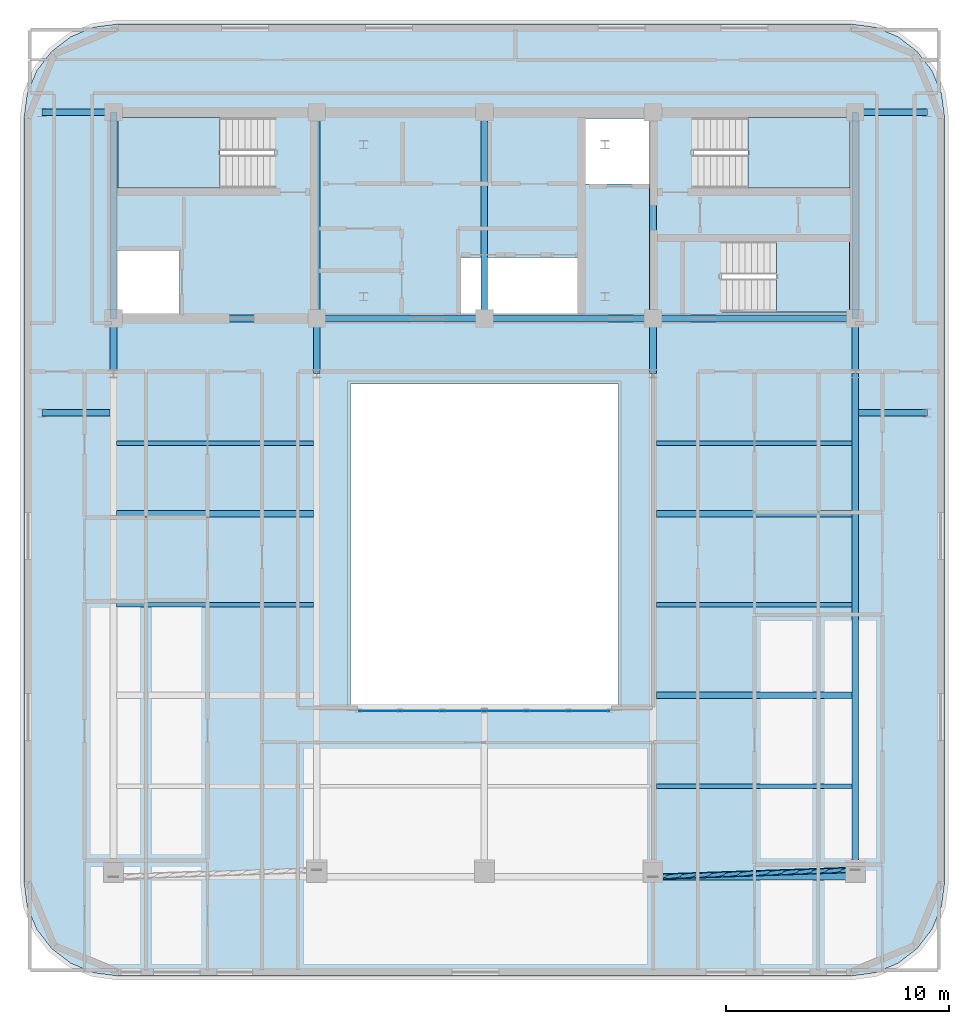
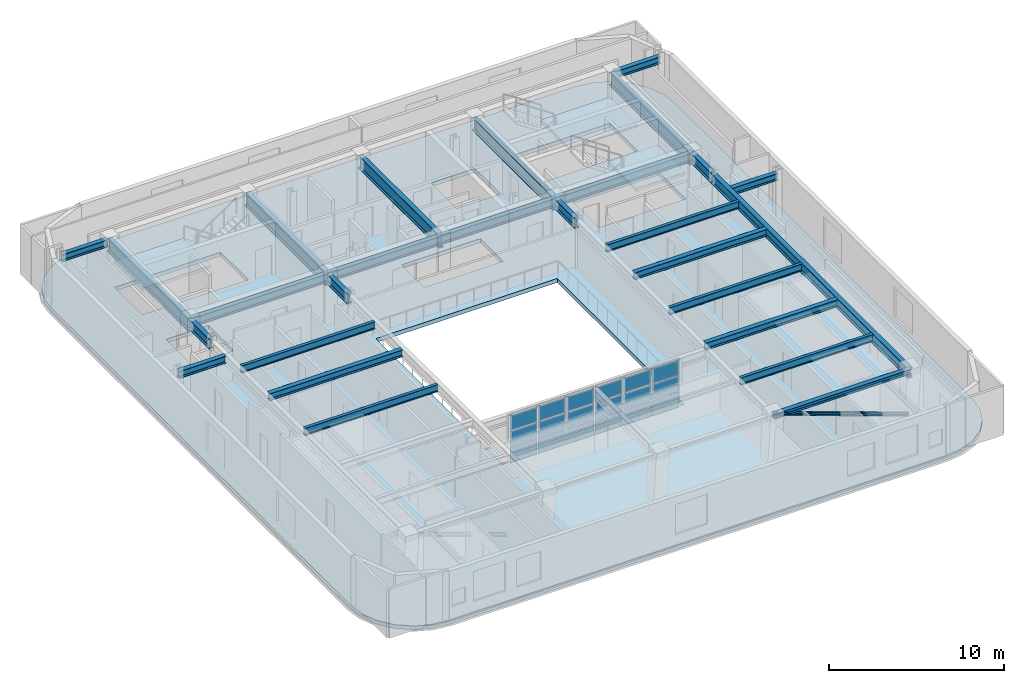
# One storey, part 4 of 13: 27 beams, 18 plates, 4 slabs, 1 member, 4 elements without a shape of their own.
"""IFC4 building model written with IfcOpenShell, lengths in metres."""

from ifc_helpers import new_model, si_unit, direction, frame, origin, origin_2d, place, context, subcontext, project, spatial, polyline, rectangle, hollow_circle, i_section, outline, extrude, material, layer, layer_set, material_profile, profile_set, type_object, element, aggregate, save


model = new_model("IFC4")

# Units and contexts
model_context = context("Model", 3, precision=1e-05, world=origin(), true_north=direction((0.0, 1.0)))
body_context = subcontext(model_context, "Body", "Model", "MODEL_VIEW")
ifc_project = project(units=[si_unit("LENGTHUNIT", "METRE"), si_unit("AREAUNIT", "SQUARE_METRE"), si_unit("VOLUMEUNIT", "CUBIC_METRE"), si_unit("PLANEANGLEUNIT", "RADIAN"), si_unit("MASSUNIT", "GRAM", prefix="KILO")], contexts=[model_context])

# Site, building, storey
site_placement = place(None, origin())
site = spatial("IfcSite", under=ifc_project, at=site_placement, CompositionType="ELEMENT")
building_placement = place(site_placement, origin())
building = spatial("IfcBuilding", under=site, at=building_placement, Name="Zarnavel Station Tower", CompositionType="ELEMENT")
storey_placement = place(building_placement, frame((0.0, 0.0, 254.699951171875)))
storey = spatial("IfcBuildingStorey", under=building, at=storey_placement, Name="L69", CompositionType="ELEMENT", Elevation=254.699951171875)

# Member
ifc_material_1 = material(Name="Steel S355J2", Category="steel")
ifc_material_profile_1 = material_profile(ifc_material_1, hollow_circle(Radius=0.122314453125, WallThickness=0.010009765625, at=origin_2d()), Name="CHS244.5x10")
ifc_profile_set_1 = profile_set([ifc_material_profile_1], Name="Steel S355J2")
member_type = type_object("IfcMemberType", Name="DB_EXT_CHS245", PredefinedType="BRACE", material=ifc_profile_set_1)
member_placement = place(storey_placement, frame((45.39990234375, 3.147216796875, 0.0), z_axis=(-0.934945887527, -0.032032515301, 0.353341343972), x_axis=(0.034241266505, -0.999413595899, 0.0)))
element("IfcMember", 1, at=member_placement, inside=storey, type_object=member_type, Name="L69 Persian Exterior Diagonal Frame Brace 2", PredefinedType="BRACE", context=body_context, shape_type="SweptSolid", body=[
    extrude(hollow_circle(Radius=0.122314453125, WallThickness=0.010009765625, at=origin_2d()), origin(), (0.0, 0.0, 1.0), 9.679443359375),
])

# Beams
ifc_material_2 = material(Name="Steel S355J2", Category="steel")
ifc_material_profile_2 = material_profile(ifc_material_2, i_section(OverallWidth=0.300048828125, OverallDepth=0.320068359375, WebThickness=0.011474609375, FlangeThickness=0.0205078125, FilletRadius=0.027099609375, at=origin_2d()), Name="HEB320")
ifc_profile_set_2 = profile_set([ifc_material_profile_2], Name="Steel S355J2")
beam_type_1 = type_object("IfcBeamType", Name="EB_HEB320", PredefinedType="SPANDREL", material=ifc_profile_set_2)
beam_1_placement = place(storey_placement, frame((36.35009765625, 2.837158203125, 3.260009765625), z_axis=(1.0, 0.0, 0.0), x_axis=(0.0, 1.0, 0.0)))
element("IfcBeam", 2, at=beam_1_placement, inside=storey, type_object=beam_type_1, Name="L69 South Raked Spandrel 4", PredefinedType="SPANDREL", context=body_context, shape_type="SweptSolid", body=[
    extrude(i_section(OverallWidth=0.300048828125, OverallDepth=0.320068359375, WebThickness=0.011474609375, FlangeThickness=0.0205078125, FilletRadius=0.027099609375, at=origin_2d()), origin(), (0.0, 0.0, 1.0), 9.0498046875),
])
ifc_material_3 = material(Name="Steel S355J2", Category="steel")
ifc_material_profile_3 = material_profile(ifc_material_3, i_section(OverallWidth=0.300048828125, OverallDepth=0.489990234375, WebThickness=0.011962890625, FlangeThickness=0.02294921875, FilletRadius=0.027099609375, at=origin_2d()), Name="HEA500")
ifc_profile_set_3 = profile_set([ifc_material_profile_3], Name="Steel S355J2")
beam_type_2 = type_object("IfcBeamType", Name="FB_HEA500", PredefinedType="BEAM", material=ifc_profile_set_3)
beam_2_placement = place(storey_placement, frame((36.4951171875, 10.9580078125, 3.175048828125), z_axis=(1.0, 0.0, 0.0), x_axis=(0.0, 1.0, 0.0)))
element("IfcBeam", 3, at=beam_2_placement, inside=storey, type_object=beam_type_2, Name="L69 East Bay Beam 2", PredefinedType="BEAM", context=body_context, shape_type="SweptSolid", body=[
    extrude(i_section(OverallWidth=0.300048828125, OverallDepth=0.489990234375, WebThickness=0.011962890625, FlangeThickness=0.02294921875, FilletRadius=0.027099609375, at=origin_2d()), origin(), (0.0, 0.0, 1.0), 8.759765625),
])
beam_3_placement = place(storey_placement, frame((12.344970703125, 19.0791015625, 3.175048828125), z_axis=(1.0, 0.0, 0.0), x_axis=(0.0, 1.0, 0.0)))
element("IfcBeam", 4, at=beam_3_placement, inside=storey, type_object=beam_type_2, Name="L69 West Bay Beam 4", PredefinedType="BEAM", context=body_context, shape_type="SweptSolid", body=[
    extrude(i_section(OverallWidth=0.300048828125, OverallDepth=0.489990234375, WebThickness=0.011962890625, FlangeThickness=0.02294921875, FilletRadius=0.027099609375, at=origin_2d()), origin(), (0.0, 0.0, 1.0), 8.81005859375),
])
beam_4_placement = place(storey_placement, frame((36.4951171875, 19.0791015625, 3.175048828125), z_axis=(1.0, 0.0, 0.0), x_axis=(0.0, 1.0, 0.0)))
element("IfcBeam", 5, at=beam_4_placement, inside=storey, type_object=beam_type_2, Name="L69 East Bay Beam 4", PredefinedType="BEAM", context=body_context, shape_type="SweptSolid", body=[
    extrude(i_section(OverallWidth=0.300048828125, OverallDepth=0.489990234375, WebThickness=0.011962890625, FlangeThickness=0.02294921875, FilletRadius=0.027099609375, at=origin_2d()), origin(), (0.0, 0.0, 1.0), 8.759765625),
])
ifc_material_4 = material(Name="Steel S355J2", Category="steel")
ifc_material_profile_4 = material_profile(ifc_material_4, i_section(OverallWidth=0.199951171875, OverallDepth=0.5, WebThickness=0.01025390625, FlangeThickness=0.01611328125, FilletRadius=0.02099609375, at=origin_2d()), Name="IPE500")
ifc_profile_set_4 = profile_set([ifc_material_profile_4], Name="Steel S355J2")
beam_type_3 = type_object("IfcBeamType", Name="FB_IPE500", PredefinedType="BEAM", material=ifc_profile_set_4)
beam_5_placement = place(storey_placement, frame((36.4951171875, 6.897705078125, 3.170166015625), z_axis=(1.0, 0.0, 0.0), x_axis=(0.0, 1.0, 0.0)))
element("IfcBeam", 6, at=beam_5_placement, inside=storey, type_object=beam_type_3, Name="L69 East Bay Beam 1", PredefinedType="BEAM", context=body_context, shape_type="SweptSolid", body=[
    extrude(i_section(OverallWidth=0.199951171875, OverallDepth=0.5, WebThickness=0.01025390625, FlangeThickness=0.01611328125, FilletRadius=0.02099609375, at=origin_2d()), origin(), (0.0, 0.0, 1.0), 8.759765625),
])
beam_6_placement = place(storey_placement, frame((12.344970703125, 15.0185546875, 3.170166015625), z_axis=(1.0, 0.0, 0.0), x_axis=(0.0, 1.0, 0.0)))
element("IfcBeam", 7, at=beam_6_placement, inside=storey, type_object=beam_type_3, Name="L69 West Bay Beam 3", PredefinedType="BEAM", context=body_context, shape_type="SweptSolid", body=[
    extrude(i_section(OverallWidth=0.199951171875, OverallDepth=0.5, WebThickness=0.01025390625, FlangeThickness=0.01611328125, FilletRadius=0.02099609375, at=origin_2d()), origin(), (0.0, 0.0, 1.0), 8.81005859375),
])
beam_7_placement = place(storey_placement, frame((36.4951171875, 15.0185546875, 3.170166015625), z_axis=(1.0, 0.0, 0.0), x_axis=(0.0, 1.0, 0.0)))
element("IfcBeam", 8, at=beam_7_placement, inside=storey, type_object=beam_type_3, Name="L69 East Bay Beam 3", PredefinedType="BEAM", context=body_context, shape_type="SweptSolid", body=[
    extrude(i_section(OverallWidth=0.199951171875, OverallDepth=0.5, WebThickness=0.01025390625, FlangeThickness=0.01611328125, FilletRadius=0.02099609375, at=origin_2d()), origin(), (0.0, 0.0, 1.0), 8.759765625),
])
beam_8_placement = place(storey_placement, frame((12.344970703125, 22.239501953125, 3.170166015625), z_axis=(1.0, 0.0, 0.0), x_axis=(0.0, 1.0, 0.0)))
element("IfcBeam", 9, at=beam_8_placement, inside=storey, type_object=beam_type_3, Name="L69 West Bay Beam 5", PredefinedType="BEAM", context=body_context, shape_type="SweptSolid", body=[
    extrude(i_section(OverallWidth=0.199951171875, OverallDepth=0.5, WebThickness=0.01025390625, FlangeThickness=0.01611328125, FilletRadius=0.02099609375, at=origin_2d()), origin(), (0.0, 0.0, 1.0), 8.81005859375),
])
beam_9_placement = place(storey_placement, frame((36.4951171875, 22.239501953125, 3.170166015625), z_axis=(1.0, 0.0, 0.0), x_axis=(0.0, 1.0, 0.0)))
element("IfcBeam", 10, at=beam_9_placement, inside=storey, type_object=beam_type_3, Name="L69 East Bay Beam 5", PredefinedType="BEAM", context=body_context, shape_type="SweptSolid", body=[
    extrude(i_section(OverallWidth=0.199951171875, OverallDepth=0.5, WebThickness=0.01025390625, FlangeThickness=0.01611328125, FilletRadius=0.02099609375, at=origin_2d()), origin(), (0.0, 0.0, 1.0), 8.759765625),
])
ifc_material_5 = material(Name="Steel S355J2", Category="steel")
ifc_material_profile_5 = material_profile(ifc_material_5, i_section(OverallWidth=0.300048828125, OverallDepth=0.5, WebThickness=0.014404296875, FlangeThickness=0.028076171875, FilletRadius=0.027099609375, at=origin_2d()), Name="HEB500")
ifc_profile_set_5 = profile_set([ifc_material_profile_5], Name="Steel S355J2")
beam_type_4 = type_object("IfcBeamType", Name="FG_HEB500", PredefinedType="USERDEFINED", material=ifc_profile_set_5)
for number, where, z_axis, x_axis, name in (
    (11, (9.0, 23.60009765625, 3.170166015625), (1.0, 0.0, 0.0), (0.0, 1.0, 0.0), "L69 West Wing South Tie 1"),
    (12, (9.0, 37.050048828125, 3.170166015625), (1.0, 0.0, 0.0), (0.0, 1.0, 0.0), "L69 West Wing North Tie 1"),
):
    element("IfcBeam", number, at=place(storey_placement, frame(where, z_axis=z_axis, x_axis=x_axis)), inside=storey, type_object=beam_type_4, Name=name, ObjectType="GIRDER", PredefinedType="USERDEFINED", context=body_context, shape_type="SweptSolid", body=[
        extrude(i_section(OverallWidth=0.300048828125, OverallDepth=0.5, WebThickness=0.014404296875, FlangeThickness=0.028076171875, FilletRadius=0.027099609375, at=origin_2d()), origin(), (0.0, 0.0, 1.0), 3.054931640625),
    ])
for number, where, z_axis, x_axis, name in (
    (13, (45.544921875, 23.60009765625, 3.170166015625), (1.0, 0.0, 0.0), (0.0, 1.0, 0.0), "L69 East Wing South Tie 1"),
    (14, (45.544921875, 37.050048828125, 3.170166015625), (1.0, 0.0, 0.0), (0.0, 1.0, 0.0), "L69 East Wing North Tie 1"),
):
    element("IfcBeam", number, at=place(storey_placement, frame(where, z_axis=z_axis, x_axis=x_axis)), inside=storey, type_object=beam_type_4, Name=name, ObjectType="GIRDER", PredefinedType="USERDEFINED", context=body_context, shape_type="SweptSolid", body=[
        extrude(i_section(OverallWidth=0.300048828125, OverallDepth=0.5, WebThickness=0.014404296875, FlangeThickness=0.028076171875, FilletRadius=0.027099609375, at=origin_2d()), origin(), (0.0, 0.0, 1.0), 3.05517578125),
    ])
ifc_material_6 = material(Name="Steel S355J2", Category="steel")
ifc_material_profile_6 = material_profile(ifc_material_6, i_section(OverallWidth=0.300048828125, OverallDepth=0.60009765625, WebThickness=0.015380859375, FlangeThickness=0.030029296875, FilletRadius=0.027099609375, at=origin_2d()), Name="HEB600")
ifc_profile_set_6 = profile_set([ifc_material_profile_6], Name="Steel S355J2")
beam_type_5 = type_object("IfcBeamType", Name="FG_HEB600", PredefinedType="USERDEFINED", material=ifc_profile_set_6)
beam_10_placement = place(storey_placement, frame((12.199951171875, 27.820068359375, 3.1201171875), z_axis=(1.0, 0.0, 0.0), x_axis=(0.0, 1.0, 0.0)))
element("IfcBeam", 15, at=beam_10_placement, inside=storey, type_object=beam_type_5, Name="L69 Core Front Coupling Beam 1", ObjectType="GIRDER", PredefinedType="USERDEFINED", context=body_context, shape_type="SweptSolid", body=[
    extrude(i_section(OverallWidth=0.300048828125, OverallDepth=0.60009765625, WebThickness=0.015380859375, FlangeThickness=0.030029296875, FilletRadius=0.027099609375, at=origin_2d()), origin(), (0.0, 0.0, 1.0), 9.10009765625),
])
beam_11_placement = place(storey_placement, frame((21.300048828125, 27.820068359375, 3.1201171875), z_axis=(1.0, 0.0, 0.0), x_axis=(0.0, 1.0, 0.0)))
element("IfcBeam", 16, at=beam_11_placement, inside=storey, type_object=beam_type_5, Name="L69 Core Front Coupling Beam 2", ObjectType="GIRDER", PredefinedType="USERDEFINED", context=body_context, shape_type="SweptSolid", body=[
    extrude(i_section(OverallWidth=0.300048828125, OverallDepth=0.60009765625, WebThickness=0.015380859375, FlangeThickness=0.030029296875, FilletRadius=0.027099609375, at=origin_2d()), origin(), (0.0, 0.0, 1.0), 7.5),
])
beam_12_placement = place(storey_placement, frame((28.800048828125, 27.820068359375, 3.1201171875), z_axis=(1.0, 0.0, 0.0), x_axis=(0.0, 1.0, 0.0)))
element("IfcBeam", 17, at=beam_12_placement, inside=storey, type_object=beam_type_5, Name="L69 Core Front Coupling Beam 3", ObjectType="GIRDER", PredefinedType="USERDEFINED", context=body_context, shape_type="SweptSolid", body=[
    extrude(i_section(OverallWidth=0.300048828125, OverallDepth=0.60009765625, WebThickness=0.015380859375, FlangeThickness=0.030029296875, FilletRadius=0.027099609375, at=origin_2d()), origin(), (0.0, 0.0, 1.0), 7.550048828125),
])
beam_13_placement = place(storey_placement, frame((36.35009765625, 27.820068359375, 3.1201171875), z_axis=(1.0, 0.0, 0.0), x_axis=(0.0, 1.0, 0.0)))
element("IfcBeam", 18, at=beam_13_placement, inside=storey, type_object=beam_type_5, Name="L69 Core Front Coupling Beam 4", ObjectType="GIRDER", PredefinedType="USERDEFINED", context=body_context, shape_type="SweptSolid", body=[
    extrude(i_section(OverallWidth=0.300048828125, OverallDepth=0.60009765625, WebThickness=0.015380859375, FlangeThickness=0.030029296875, FilletRadius=0.027099609375, at=origin_2d()), origin(), (0.0, 0.0, 1.0), 9.0498046875),
])
ifc_material_7 = material(Name="Steel S355J2", Category="steel")
ifc_material_profile_7 = material_profile(ifc_material_7, i_section(OverallWidth=0.300048828125, OverallDepth=0.699951171875, WebThickness=0.01708984375, FlangeThickness=0.031982421875, FilletRadius=0.027099609375, at=origin_2d()), Name="HEB700")
ifc_profile_set_7 = profile_set([ifc_material_profile_7], Name="Steel S355J2")
beam_type_6 = type_object("IfcBeamType", Name="FG_HEB700", PredefinedType="USERDEFINED", material=ifc_profile_set_7)
for number, where, z_axis, x_axis, name in (
    (19, (12.199951171875, 25.35009765625, 3.070068359375), (0.0, 1.0, 0.0), (-1.0, 0.0, 0.0), "L69 Inner-Zone NS Girder 1"),
    (20, (21.300048828125, 25.35009765625, 3.070068359375), (0.0, 1.0, 0.0), (-1.0, 0.0, 0.0), "L69 Inner-Zone NS Girder 2"),
    (21, (36.35009765625, 25.35009765625, 3.070068359375), (0.0, 1.0, 0.0), (-1.0, 0.0, 0.0), "L69 Inner-Zone NS Girder 4"),
):
    element("IfcBeam", number, at=place(storey_placement, frame(where, z_axis=z_axis, x_axis=x_axis)), inside=storey, type_object=beam_type_6, Name=name, ObjectType="GIRDER", PredefinedType="USERDEFINED", context=body_context, shape_type="SweptSolid", body=[
        extrude(i_section(OverallWidth=0.300048828125, OverallDepth=0.699951171875, WebThickness=0.01708984375, FlangeThickness=0.031982421875, FilletRadius=0.027099609375, at=origin_2d()), origin(), (0.0, 0.0, 1.0), 2.469970703125),
    ])
beam_14_placement = place(storey_placement, frame((45.39990234375, 2.837158203125, 3.070068359375), z_axis=(0.0, 1.0, 0.0), x_axis=(-1.0, 0.0, 0.0)))
element("IfcBeam", 22, at=beam_14_placement, inside=storey, type_object=beam_type_6, Name="L69 South-Zone NS Girder 5", ObjectType="GIRDER", PredefinedType="USERDEFINED", context=body_context, shape_type="SweptSolid", body=[
    extrude(i_section(OverallWidth=0.300048828125, OverallDepth=0.699951171875, WebThickness=0.01708984375, FlangeThickness=0.031982421875, FilletRadius=0.027099609375, at=origin_2d()), origin(), (0.0, 0.0, 1.0), 22.512939453125),
])
beam_15_placement = place(storey_placement, frame((45.39990234375, 25.35009765625, 3.070068359375), z_axis=(0.0, 1.0, 0.0), x_axis=(-1.0, 0.0, 0.0)))
element("IfcBeam", 23, at=beam_15_placement, inside=storey, type_object=beam_type_6, Name="L69 Inner-Zone NS Girder 5", ObjectType="GIRDER", PredefinedType="USERDEFINED", context=body_context, shape_type="SweptSolid", body=[
    extrude(i_section(OverallWidth=0.300048828125, OverallDepth=0.699951171875, WebThickness=0.01708984375, FlangeThickness=0.031982421875, FilletRadius=0.027099609375, at=origin_2d()), origin(), (0.0, 0.0, 1.0), 2.469970703125),
])
ifc_material_8 = material(Name="Steel S460M", Category="steel")
ifc_material_profile_8 = material_profile(ifc_material_8, i_section(OverallWidth=0.302001953125, OverallDepth=0.909912109375, WebThickness=0.02099609375, FlangeThickness=0.0400390625, FilletRadius=0.030029296875, at=origin_2d()), Name="HEM900")
ifc_profile_set_8 = profile_set([ifc_material_profile_8], Name="Steel S460M")
beam_type_7 = type_object("IfcBeamType", Name="TG_HEM900", PredefinedType="USERDEFINED", material=ifc_profile_set_8)
for number, where, z_axis, x_axis, name in (
    (24, (12.199951171875, 27.820068359375, 2.965087890625), (0.0, 1.0, 0.0), (-1.0, 0.0, 0.0), "L69 Core Spine Coupling Girder 1"),
    (25, (21.300048828125, 27.820068359375, 2.965087890625), (0.0, 1.0, 0.0), (-1.0, 0.0, 0.0), "L69 Core Spine Coupling Girder 2"),
    (26, (28.800048828125, 27.820068359375, 2.965087890625), (0.0, 1.0, 0.0), (-1.0, 0.0, 0.0), "L69 Core Spine Coupling Girder 3"),
    (27, (36.35009765625, 27.820068359375, 2.965087890625), (0.0, 1.0, 0.0), (-1.0, 0.0, 0.0), "L69 Core Spine Coupling Girder 4"),
    (28, (45.39990234375, 27.820068359375, 2.965087890625), (0.0, 1.0, 0.0), (-1.0, 0.0, 0.0), "L69 Core Spine Coupling Girder 5"),
):
    element("IfcBeam", number, at=place(storey_placement, frame(where, z_axis=z_axis, x_axis=x_axis)), inside=storey, type_object=beam_type_7, Name=name, ObjectType="GIRDER", PredefinedType="USERDEFINED", context=body_context, shape_type="SweptSolid", body=[
        extrude(i_section(OverallWidth=0.302001953125, OverallDepth=0.909912109375, WebThickness=0.02099609375, FlangeThickness=0.0400390625, FilletRadius=0.030029296875, at=origin_2d()), origin(), (0.0, 0.0, 1.0), 9.22998046875),
    ])

# Curtain wall, plates
ifc_material_9 = material(Name="Aluminium Dark Anodised and Solar-Control Glass", Category="aluminium")
ifc_layer_1 = layer(ifc_material_9, 0.179931640625)
ifc_layer_set_1 = layer_set([ifc_layer_1], Name="CWS6")
curtain_wall_type = type_object("IfcCurtainWallType", Name="CWS6", PredefinedType="NOTDEFINED", material=ifc_layer_set_1)
curtain_wall_placement = place(storey_placement, origin())
curtain_wall = element("IfcCurtainWall", 29, at=curtain_wall_placement, inside=storey, type_object=curtain_wall_type, Name="L69 Curtain Wall CWS6-L69-AS", PredefinedType="NOTDEFINED")
ifc_material_10 = material(Name="Double Low-E Dark Solar-Control Glass", Category="glass")
ifc_layer_2 = layer(ifc_material_10, 0.0380859375)
ifc_layer_set_2 = layer_set([ifc_layer_2], Name="CWS6_PNL")
plate_type = type_object("IfcPlateType", Name="CWS6_PNL", PredefinedType="CURTAIN_PANEL", material=ifc_layer_set_2)
plate_1_placement = place(storey_placement, frame((24.106689453125, 10.25, 0.06005859375), z_axis=(0.0, 0.0, 1.0), x_axis=(1.0, 0.0, 0.0)))
plate_1 = element("IfcPlate", 30, at=plate_1_placement, type_object=plate_type, Name="CW6 panel 1.1", PredefinedType="CURTAIN_PANEL", context=body_context, shape_type="SweptSolid", body=[
    extrude(rectangle(XDim=1.793212890625, YDim=0.028076171875, at=origin_2d()), origin(), (0.0, 0.0, 1.0), 1.050048828125),
])
plate_2_placement = place(storey_placement, frame((24.106689453125, 10.25, 1.169921875), z_axis=(0.0, 0.0, 1.0), x_axis=(1.0, 0.0, 0.0)))
plate_2 = element("IfcPlate", 31, at=plate_2_placement, type_object=plate_type, Name="CW6 panel 1.2", PredefinedType="CURTAIN_PANEL", context=body_context, shape_type="SweptSolid", body=[
    extrude(rectangle(XDim=1.793212890625, YDim=0.028076171875, at=origin_2d()), origin(), (0.0, 0.0, 1.0), 1.080078125),
])
plate_3_placement = place(storey_placement, frame((24.106689453125, 10.25, 2.31005859375), z_axis=(0.0, 0.0, 1.0), x_axis=(1.0, 0.0, 0.0)))
plate_3 = element("IfcPlate", 32, at=plate_3_placement, type_object=plate_type, Name="CW6 panel 1.3", PredefinedType="CURTAIN_PANEL", context=body_context, shape_type="SweptSolid", body=[
    extrude(rectangle(XDim=1.793212890625, YDim=0.028076171875, at=origin_2d()), origin(), (0.0, 0.0, 1.0), 1.050048828125),
])
plate_4_placement = place(storey_placement, frame((25.97509765625, 10.25, 0.06005859375), z_axis=(0.0, 0.0, 1.0), x_axis=(1.0, 0.0, 0.0)))
plate_4 = element("IfcPlate", 33, at=plate_4_placement, type_object=plate_type, Name="CW6 panel 2.1", PredefinedType="CURTAIN_PANEL", context=body_context, shape_type="SweptSolid", body=[
    extrude(rectangle(XDim=1.8232421875, YDim=0.028076171875, at=origin_2d()), origin(), (0.0, 0.0, 1.0), 1.050048828125),
])
plate_5_placement = place(storey_placement, frame((25.97509765625, 10.25, 1.169921875), z_axis=(0.0, 0.0, 1.0), x_axis=(1.0, 0.0, 0.0)))
plate_5 = element("IfcPlate", 34, at=plate_5_placement, type_object=plate_type, Name="CW6 panel 2.2", PredefinedType="CURTAIN_PANEL", context=body_context, shape_type="SweptSolid", body=[
    extrude(rectangle(XDim=1.8232421875, YDim=0.028076171875, at=origin_2d()), origin(), (0.0, 0.0, 1.0), 1.080078125),
])
plate_6_placement = place(storey_placement, frame((25.97509765625, 10.25, 2.31005859375), z_axis=(0.0, 0.0, 1.0), x_axis=(1.0, 0.0, 0.0)))
plate_6 = element("IfcPlate", 35, at=plate_6_placement, type_object=plate_type, Name="CW6 panel 2.3", PredefinedType="CURTAIN_PANEL", context=body_context, shape_type="SweptSolid", body=[
    extrude(rectangle(XDim=1.8232421875, YDim=0.028076171875, at=origin_2d()), origin(), (0.0, 0.0, 1.0), 1.050048828125),
])
plate_7_placement = place(storey_placement, frame((27.8583984375, 10.25, 0.06005859375), z_axis=(0.0, 0.0, 1.0), x_axis=(1.0, 0.0, 0.0)))
plate_7 = element("IfcPlate", 36, at=plate_7_placement, type_object=plate_type, Name="CW6 panel 3.1", PredefinedType="CURTAIN_PANEL", context=body_context, shape_type="SweptSolid", body=[
    extrude(rectangle(XDim=1.8232421875, YDim=0.028076171875, at=origin_2d()), origin(), (0.0, 0.0, 1.0), 1.050048828125),
])
plate_8_placement = place(storey_placement, frame((27.8583984375, 10.25, 1.169921875), z_axis=(0.0, 0.0, 1.0), x_axis=(1.0, 0.0, 0.0)))
plate_8 = element("IfcPlate", 37, at=plate_8_placement, type_object=plate_type, Name="CW6 panel 3.2", PredefinedType="CURTAIN_PANEL", context=body_context, shape_type="SweptSolid", body=[
    extrude(rectangle(XDim=1.8232421875, YDim=0.028076171875, at=origin_2d()), origin(), (0.0, 0.0, 1.0), 1.080078125),
])
plate_9_placement = place(storey_placement, frame((27.8583984375, 10.25, 2.31005859375), z_axis=(0.0, 0.0, 1.0), x_axis=(1.0, 0.0, 0.0)))
plate_9 = element("IfcPlate", 38, at=plate_9_placement, type_object=plate_type, Name="CW6 panel 3.3", PredefinedType="CURTAIN_PANEL", context=body_context, shape_type="SweptSolid", body=[
    extrude(rectangle(XDim=1.8232421875, YDim=0.028076171875, at=origin_2d()), origin(), (0.0, 0.0, 1.0), 1.050048828125),
])
plate_10_placement = place(storey_placement, frame((29.74169921875, 10.25, 0.06005859375), z_axis=(0.0, 0.0, 1.0), x_axis=(1.0, 0.0, 0.0)))
plate_10 = element("IfcPlate", 39, at=plate_10_placement, type_object=plate_type, Name="CW6 panel 4.1", PredefinedType="CURTAIN_PANEL", context=body_context, shape_type="SweptSolid", body=[
    extrude(rectangle(XDim=1.8232421875, YDim=0.028076171875, at=origin_2d()), origin(), (0.0, 0.0, 1.0), 1.050048828125),
])
plate_11_placement = place(storey_placement, frame((29.74169921875, 10.25, 1.169921875), z_axis=(0.0, 0.0, 1.0), x_axis=(1.0, 0.0, 0.0)))
plate_11 = element("IfcPlate", 40, at=plate_11_placement, type_object=plate_type, Name="CW6 panel 4.2", PredefinedType="CURTAIN_PANEL", context=body_context, shape_type="SweptSolid", body=[
    extrude(rectangle(XDim=1.8232421875, YDim=0.028076171875, at=origin_2d()), origin(), (0.0, 0.0, 1.0), 1.080078125),
])
plate_12_placement = place(storey_placement, frame((29.74169921875, 10.25, 2.31005859375), z_axis=(0.0, 0.0, 1.0), x_axis=(1.0, 0.0, 0.0)))
plate_12 = element("IfcPlate", 41, at=plate_12_placement, type_object=plate_type, Name="CW6 panel 4.3", PredefinedType="CURTAIN_PANEL", context=body_context, shape_type="SweptSolid", body=[
    extrude(rectangle(XDim=1.8232421875, YDim=0.028076171875, at=origin_2d()), origin(), (0.0, 0.0, 1.0), 1.050048828125),
])
plate_13_placement = place(storey_placement, frame((31.625, 10.25, 0.06005859375), z_axis=(0.0, 0.0, 1.0), x_axis=(1.0, 0.0, 0.0)))
plate_13 = element("IfcPlate", 42, at=plate_13_placement, type_object=plate_type, Name="CW6 panel 5.1", PredefinedType="CURTAIN_PANEL", context=body_context, shape_type="SweptSolid", body=[
    extrude(rectangle(XDim=1.8232421875, YDim=0.028076171875, at=origin_2d()), origin(), (0.0, 0.0, 1.0), 1.050048828125),
])
plate_14_placement = place(storey_placement, frame((31.625, 10.25, 1.169921875), z_axis=(0.0, 0.0, 1.0), x_axis=(1.0, 0.0, 0.0)))
plate_14 = element("IfcPlate", 43, at=plate_14_placement, type_object=plate_type, Name="CW6 panel 5.2", PredefinedType="CURTAIN_PANEL", context=body_context, shape_type="SweptSolid", body=[
    extrude(rectangle(XDim=1.8232421875, YDim=0.028076171875, at=origin_2d()), origin(), (0.0, 0.0, 1.0), 1.080078125),
])
plate_15_placement = place(storey_placement, frame((31.625, 10.25, 2.31005859375), z_axis=(0.0, 0.0, 1.0), x_axis=(1.0, 0.0, 0.0)))
plate_15 = element("IfcPlate", 44, at=plate_15_placement, type_object=plate_type, Name="CW6 panel 5.3", PredefinedType="CURTAIN_PANEL", context=body_context, shape_type="SweptSolid", body=[
    extrude(rectangle(XDim=1.8232421875, YDim=0.028076171875, at=origin_2d()), origin(), (0.0, 0.0, 1.0), 1.050048828125),
])
plate_16_placement = place(storey_placement, frame((33.493408203125, 10.25, 0.06005859375), z_axis=(0.0, 0.0, 1.0), x_axis=(1.0, 0.0, 0.0)))
plate_16 = element("IfcPlate", 45, at=plate_16_placement, type_object=plate_type, Name="CW6 panel 6.1", PredefinedType="CURTAIN_PANEL", context=body_context, shape_type="SweptSolid", body=[
    extrude(rectangle(XDim=1.793212890625, YDim=0.028076171875, at=origin_2d()), origin(), (0.0, 0.0, 1.0), 1.050048828125),
])
plate_17_placement = place(storey_placement, frame((33.493408203125, 10.25, 1.169921875), z_axis=(0.0, 0.0, 1.0), x_axis=(1.0, 0.0, 0.0)))
plate_17 = element("IfcPlate", 46, at=plate_17_placement, type_object=plate_type, Name="CW6 panel 6.2", PredefinedType="CURTAIN_PANEL", context=body_context, shape_type="SweptSolid", body=[
    extrude(rectangle(XDim=1.793212890625, YDim=0.028076171875, at=origin_2d()), origin(), (0.0, 0.0, 1.0), 1.080078125),
])
plate_18_placement = place(storey_placement, frame((33.493408203125, 10.25, 2.31005859375), z_axis=(0.0, 0.0, 1.0), x_axis=(1.0, 0.0, 0.0)))
plate_18 = element("IfcPlate", 47, at=plate_18_placement, type_object=plate_type, Name="CW6 panel 6.3", PredefinedType="CURTAIN_PANEL", context=body_context, shape_type="SweptSolid", body=[
    extrude(rectangle(XDim=1.793212890625, YDim=0.028076171875, at=origin_2d()), origin(), (0.0, 0.0, 1.0), 1.050048828125),
])
aggregate(curtain_wall, [plate_1, plate_2, plate_3, plate_4, plate_5, plate_6, plate_7, plate_8, plate_9, plate_10, plate_11, plate_12, plate_13, plate_14, plate_15, plate_16, plate_17, plate_18])

# Slab
ifc_material_11 = material(Name="Concrete C45/55", Category="concrete")
ifc_layer_3 = layer(ifc_material_11, 0.280029296875)
ifc_layer_set_3 = layer_set([ifc_layer_3], Name="SL_FLR_280")
slab_type_1 = type_object("IfcSlabType", Name="SL_FLR_280", PredefinedType="FLOOR", material=ifc_layer_set_3)
slab_1_placement = place(storey_placement, frame((0.0, 0.0, -0.280029296875)))
element("IfcSlab", 48, at=slab_1_placement, inside=storey, type_object=slab_type_1, Name="L69 Structural Floor Slab", PredefinedType="FLOOR", context=body_context, shape_type="SweptSolid", body=[
    extrude(outline(polyline([(45.199951171875, -1.60009765625), (46.287109375, -1.456787109375), (47.300048828125, -1.037353515625), (48.169921875, -0.369873046875), (48.83740234375, 0.5), (49.2568359375, 1.512939453125), (49.39990234375, 2.60009765625), (49.39990234375, 36.800048828125), (49.2568359375, 37.886962890625), (48.83740234375, 38.89990234375), (48.169921875, 39.769775390625), (47.300048828125, 40.437255859375), (46.287109375, 40.85693359375), (45.199951171875, 41.0), (12.39990234375, 41.0), (11.31298828125, 40.85693359375), (10.300048828125, 40.437255859375), (9.43017578125, 39.769775390625), (8.7626953125, 38.89990234375), (8.343017578125, 37.886962890625), (8.199951171875, 36.800048828125), (8.199951171875, 2.60009765625), (8.343017578125, 1.512939453125), (8.7626953125, 0.5), (9.43017578125, -0.369873046875), (10.300048828125, -1.037353515625), (11.31298828125, -1.456787109375), (12.39990234375, -1.60009765625), (45.199951171875, -1.60009765625)]), holes=[polyline([(12.39990234375, 33.659912109375), (19.409912109375, 33.659912109375), (19.409912109375, 36.820068359375), (12.39990234375, 36.820068359375), (12.39990234375, 33.659912109375)]), polyline([(38.14990234375, 33.659912109375), (45.159912109375, 33.659912109375), (45.159912109375, 36.820068359375), (38.14990234375, 36.820068359375), (38.14990234375, 33.659912109375)]), polyline([(39.419921875, 28.1201171875), (45.14990234375, 28.1201171875), (45.14990234375, 31.280029296875), (39.419921875, 31.280029296875), (39.419921875, 28.1201171875)]), polyline([(12.35009765625, 27.949951171875), (15.14990234375, 27.949951171875), (15.14990234375, 30.85009765625), (12.35009765625, 30.85009765625), (12.35009765625, 27.949951171875)]), polyline([(33.320068359375, 33.85009765625), (36.2099609375, 33.85009765625), (36.2099609375, 36.780029296875), (33.320068359375, 36.780029296875), (33.320068359375, 33.85009765625)]), polyline([(27.75, 27.949951171875), (32.97998046875, 27.949951171875), (32.97998046875, 30.550048828125), (27.75, 30.550048828125), (27.75, 27.949951171875)]), polyline([(22.800048828125, 10.39990234375), (34.800048828125, 10.39990234375), (34.800048828125, 24.89990234375), (22.800048828125, 24.89990234375), (22.800048828125, 10.39990234375)])]), origin(), (0.0, 0.0, 1.0), 0.280029296875),
])

# Stair, slab
ifc_material_12 = material(Name="Concrete C45/55", Category="concrete")
stair_type = type_object("IfcStairType", Name="ST_CORE_150", PredefinedType="HALF_TURN_STAIR", material=ifc_material_12)
stair_1_placement = place(storey_placement, origin())
stair_1 = element("IfcStair", 49, at=stair_1_placement, inside=storey, type_object=stair_type, Name="L69 Core Exit Stair ST1", PredefinedType="HALF_TURN_STAIR")
ifc_material_13 = material(Name="Concrete C45/55", Category="concrete")
ifc_layer_4 = layer(ifc_material_13, 0.199951171875)
ifc_layer_set_4 = layer_set([ifc_layer_4], Name="SL_STAIR_LAND_200")
slab_type_2 = type_object("IfcSlabType", Name="SL_STAIR_LAND_200", PredefinedType="LANDING", material=ifc_layer_set_4)
slab_2_placement = place(storey_placement, frame((0.0, 0.0, 1.650146484375)))
slab_2 = element("IfcSlab", 50, at=slab_2_placement, type_object=slab_type_2, Name="ST1 landing 1", PredefinedType="LANDING", context=body_context, shape_type="SweptSolid", body=[
    extrude(outline(polyline([(16.9599609375, 36.820068359375), (12.39990234375, 36.820068359375), (12.39990234375, 33.659912109375), (16.9599609375, 33.659912109375), (16.9599609375, 36.820068359375)])), origin(), (0.0, 0.0, 1.0), 0.199951171875),
])
aggregate(stair_1, [slab_2])

stair_2_placement = place(storey_placement, origin())
stair_2 = element("IfcStair", 51, at=stair_2_placement, inside=storey, type_object=stair_type, Name="L69 Core Exit Stair ST2", PredefinedType="HALF_TURN_STAIR")
slab_3_placement = place(storey_placement, frame((0.0, 0.0, 1.650146484375)))
slab_3 = element("IfcSlab", 52, at=slab_3_placement, type_object=slab_type_2, Name="ST2 landing 1", PredefinedType="LANDING", context=body_context, shape_type="SweptSolid", body=[
    extrude(outline(polyline([(40.60009765625, 33.659912109375), (45.159912109375, 33.659912109375), (45.159912109375, 36.820068359375), (40.60009765625, 36.820068359375), (40.60009765625, 33.659912109375)])), origin(), (0.0, 0.0, 1.0), 0.199951171875),
])
aggregate(stair_2, [slab_3])

stair_3_placement = place(storey_placement, origin())
stair_3 = element("IfcStair", 53, at=stair_3_placement, inside=storey, type_object=stair_type, Name="L69 Core Exit Stair ST3", PredefinedType="HALF_TURN_STAIR")
slab_4_placement = place(storey_placement, frame((0.0, 0.0, 1.650146484375)))
slab_4 = element("IfcSlab", 54, at=slab_4_placement, type_object=slab_type_2, Name="ST3 landing 1", PredefinedType="LANDING", context=body_context, shape_type="SweptSolid", body=[
    extrude(outline(polyline([(41.8701171875, 28.1201171875), (45.14990234375, 28.1201171875), (45.14990234375, 31.280029296875), (41.8701171875, 31.280029296875), (41.8701171875, 28.1201171875)])), origin(), (0.0, 0.0, 1.0), 0.199951171875),
])
aggregate(stair_3, [slab_4])

save(model, "model.ifc")
